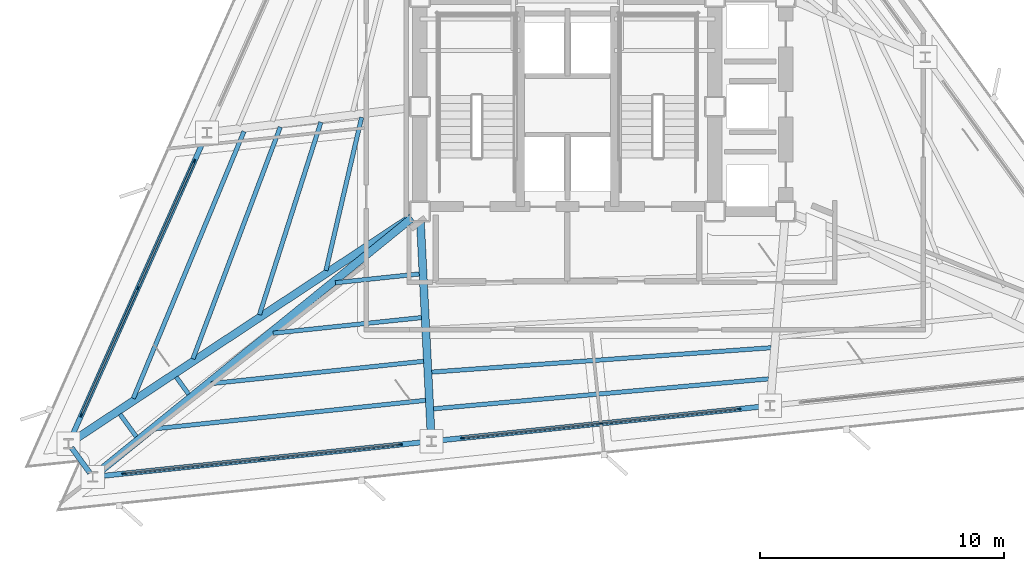
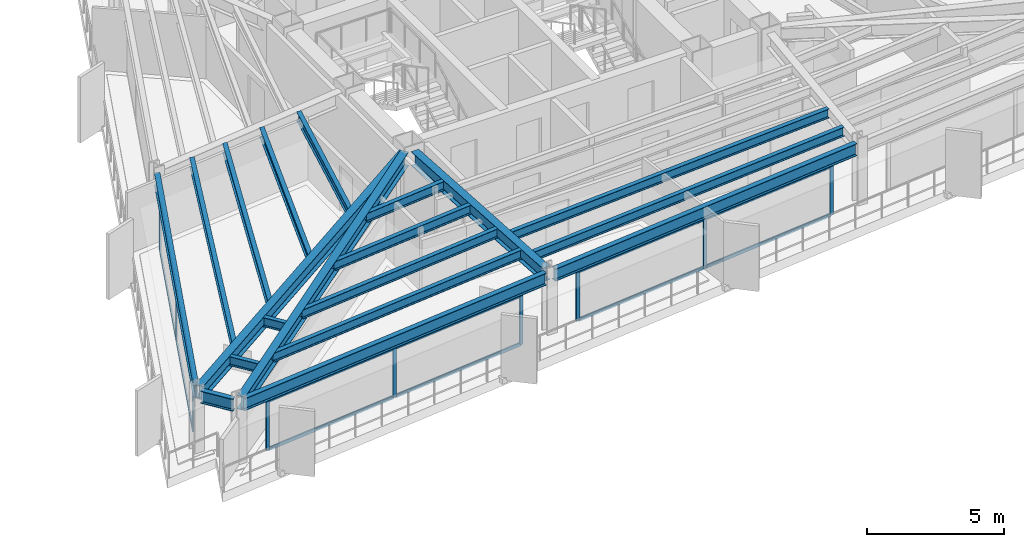
# One storey, part 2 of 12: 21 members, 19 beams, 3 elements without a shape of their own.
"""IFC4 building model written with IfcOpenShell, lengths in metres."""

from ifc_helpers import new_model, si_unit, direction, frame, origin, origin_2d, place, context, subcontext, project, spatial, rectangle, i_section, extrude, material, layer, layer_set, material_profile, profile_set, type_object, element, aggregate, save


model = new_model("IFC4")

# Units and contexts
model_context = context("Model", 3, precision=1e-05, world=origin(), true_north=direction((0.0, 1.0)))
body_context = subcontext(model_context, "Body", "Model", "MODEL_VIEW")
ifc_project = project(units=[si_unit("LENGTHUNIT", "METRE"), si_unit("AREAUNIT", "SQUARE_METRE"), si_unit("VOLUMEUNIT", "CUBIC_METRE"), si_unit("PLANEANGLEUNIT", "RADIAN"), si_unit("MASSUNIT", "GRAM", prefix="KILO")], contexts=[model_context])

# Site, building, storey
site_placement = place(None, origin())
site = spatial("IfcSite", under=ifc_project, at=site_placement, CompositionType="ELEMENT")
building_placement = place(site_placement, origin())
building = spatial("IfcBuilding", under=site, at=building_placement, Name="Rocaltana Carrier Exchange", CompositionType="ELEMENT")
storey_placement = place(building_placement, frame((0.0, 0.0, 104.639892578125)))
storey = spatial("IfcBuildingStorey", under=building, at=storey_placement, Name="L32", CompositionType="ELEMENT", Elevation=104.639892578125)

# Curtain wall, members
ifc_material_1 = material(Name="Aluminium 6063-T6", Category="aluminium")
ifc_layer = layer(ifc_material_1, 0.14990234375)
ifc_layer_set = layer_set([ifc_layer], Name="Aluminium 6063-T6")
curtain_wall_type = type_object("IfcCurtainWallType", Name="Mid-Tower Unitised Curtain Wall CW-03", PredefinedType="NOTDEFINED", material=ifc_layer_set)
curtain_wall_1_placement = place(storey_placement, origin())
curtain_wall_1 = element("IfcCurtainWall", 1, at=curtain_wall_1_placement, inside=storey, type_object=curtain_wall_type, Name="L32 CW-03 Run CW-L32-F2S3", PredefinedType="NOTDEFINED")
ifc_material_2 = material(Name="Aluminium 6063-T6", Category="aluminium")
ifc_material_profile_1 = material_profile(ifc_material_2, rectangle(XDim=0.06005859375, YDim=0.14990234375, at=origin_2d()), Name="AL-60X150")
ifc_profile_set_1 = profile_set([ifc_material_profile_1], Name="Aluminium 6063-T6")
member_type_1 = type_object("IfcMemberType", Name="CW-03 Mullion AL-60X150", PredefinedType="MULLION", material=ifc_profile_set_1)
member_1_placement = place(storey_placement, frame((-15.299560546875, -2.2333984375, 0.0), z_axis=(0.0, 0.0, 1.0), x_axis=(0.913547031517, -0.406733108077, 0.0)))
member_1 = element("IfcMember", 2, at=member_1_placement, type_object=member_type_1, Name="CW-03 mullion 1", PredefinedType="MULLION", context=body_context, shape_type="SweptSolid", body=[
    extrude(rectangle(XDim=0.06005859375, YDim=0.14990234375, at=origin_2d()), origin(), (0.0, 0.0, 1.0), 2.218017578125),
])
member_2_placement = place(storey_placement, frame((-17.619140625, -7.44384765625, 0.0), z_axis=(0.0, 0.0, 1.0), x_axis=(0.913547031517, -0.406733108077, 0.0)))
member_2 = element("IfcMember", 3, at=member_2_placement, type_object=member_type_1, Name="CW-03 mullion 2", PredefinedType="MULLION", context=body_context, shape_type="SweptSolid", body=[
    extrude(rectangle(XDim=0.06005859375, YDim=0.14990234375, at=origin_2d()), origin(), (0.0, 0.0, 1.0), 2.218017578125),
])
member_3_placement = place(storey_placement, frame((-19.93896484375, -12.654052734375, 0.0), z_axis=(0.0, 0.0, 1.0), x_axis=(0.913547031517, -0.406733108077, 0.0)))
member_3 = element("IfcMember", 4, at=member_3_placement, type_object=member_type_1, Name="CW-03 mullion 3", PredefinedType="MULLION", context=body_context, shape_type="SweptSolid", body=[
    extrude(rectangle(XDim=0.06005859375, YDim=0.14990234375, at=origin_2d()), origin(), (0.0, 0.0, 1.0), 2.218017578125),
])

curtain_wall_2_placement = place(storey_placement, origin())
curtain_wall_2 = element("IfcCurtainWall", 5, at=curtain_wall_2_placement, inside=storey, type_object=curtain_wall_type, Name="L32 CW-03 Run CW-L32-F3S1", PredefinedType="NOTDEFINED")
member_4_placement = place(storey_placement, frame((-18.196044921875, -15.052734375, 0.0), z_axis=(0.0, 0.0, 1.0), x_axis=(-0.104521806959, 0.994522594952, 0.0)))
member_4 = element("IfcMember", 6, at=member_4_placement, type_object=member_type_1, Name="CW-03 mullion 1", PredefinedType="MULLION", context=body_context, shape_type="SweptSolid", body=[
    extrude(rectangle(XDim=0.06005859375, YDim=0.14990234375, at=origin_2d()), origin(), (0.0, 0.0, 1.0), 2.218017578125),
])
member_5_placement = place(storey_placement, frame((-12.524169921875, -14.45654296875, 0.0), z_axis=(0.0, 0.0, 1.0), x_axis=(-0.104521806959, 0.994522594952, 0.0)))
member_5 = element("IfcMember", 7, at=member_5_placement, type_object=member_type_1, Name="CW-03 mullion 2", PredefinedType="MULLION", context=body_context, shape_type="SweptSolid", body=[
    extrude(rectangle(XDim=0.06005859375, YDim=0.14990234375, at=origin_2d()), origin(), (0.0, 0.0, 1.0), 2.218017578125),
])
member_6_placement = place(storey_placement, frame((-6.85205078125, -13.860595703125, 0.0), z_axis=(0.0, 0.0, 1.0), x_axis=(-0.104521806959, 0.994522594952, 0.0)))
member_6 = element("IfcMember", 8, at=member_6_placement, type_object=member_type_1, Name="CW-03 mullion 3", PredefinedType="MULLION", context=body_context, shape_type="SweptSolid", body=[
    extrude(rectangle(XDim=0.06005859375, YDim=0.14990234375, at=origin_2d()), origin(), (0.0, 0.0, 1.0), 2.218017578125),
])

curtain_wall_3_placement = place(storey_placement, origin())
curtain_wall_3 = element("IfcCurtainWall", 9, at=curtain_wall_3_placement, inside=storey, type_object=curtain_wall_type, Name="L32 CW-03 Run CW-L32-F3S2", PredefinedType="NOTDEFINED")
member_7_placement = place(storey_placement, frame((-4.30615234375, -13.5927734375, 0.0), z_axis=(0.0, 0.0, 1.0), x_axis=(-0.104529526113, 0.994521783658, 0.0)))
member_7 = element("IfcMember", 10, at=member_7_placement, type_object=member_type_1, Name="CW-03 mullion 1", PredefinedType="MULLION", context=body_context, shape_type="SweptSolid", body=[
    extrude(rectangle(XDim=0.06005859375, YDim=0.14990234375, at=origin_2d()), origin(), (0.0, 0.0, 1.0), 2.218017578125),
])
member_8_placement = place(storey_placement, frame((1.365966796875, -12.99658203125, 0.0), z_axis=(0.0, 0.0, 1.0), x_axis=(-0.104529526113, 0.994521783658, 0.0)))
member_8 = element("IfcMember", 11, at=member_8_placement, type_object=member_type_1, Name="CW-03 mullion 2", PredefinedType="MULLION", context=body_context, shape_type="SweptSolid", body=[
    extrude(rectangle(XDim=0.06005859375, YDim=0.14990234375, at=origin_2d()), origin(), (0.0, 0.0, 1.0), 2.218017578125),
])
member_9_placement = place(storey_placement, frame((7.0380859375, -12.400634765625, 0.0), z_axis=(0.0, 0.0, 1.0), x_axis=(-0.104529526113, 0.994521783658, 0.0)))
member_9 = element("IfcMember", 12, at=member_9_placement, type_object=member_type_1, Name="CW-03 mullion 3", PredefinedType="MULLION", context=body_context, shape_type="SweptSolid", body=[
    extrude(rectangle(XDim=0.06005859375, YDim=0.14990234375, at=origin_2d()), origin(), (0.0, 0.0, 1.0), 2.218017578125),
])

# Member
ifc_material_3 = material(Name="Aluminium 6063-T6", Category="aluminium")
ifc_material_profile_2 = material_profile(ifc_material_3, rectangle(XDim=0.06005859375, YDim=0.14990234375, at=origin_2d()), Name="AL-60X150")
ifc_profile_set_2 = profile_set([ifc_material_profile_2], Name="Aluminium 6063-T6")
member_type_2 = type_object("IfcMemberType", Name="CW-03 Transom AL-60X150", PredefinedType="USERDEFINED", material=ifc_profile_set_2)
member_10_placement = place(storey_placement, frame((-15.311767578125, -2.260986328125, 0.030029296875), z_axis=(-0.406704359788, -0.913559830405, 0.0), x_axis=(0.913559830405, -0.406704359788, 0.0)))
member_10 = element("IfcMember", 13, at=member_10_placement, type_object=member_type_2, Name="CW-03 transom 1.1", ObjectType="TRANSOM", PredefinedType="USERDEFINED", context=body_context, shape_type="SweptSolid", body=[
    extrude(rectangle(XDim=0.06005859375, YDim=0.14990234375, at=origin_2d()), origin(), (0.0, 0.0, 1.0), 5.643310546875),
])

member_11_placement = place(storey_placement, frame((-15.311767578125, -2.260986328125, 2.18798828125), z_axis=(-0.406704359788, -0.913559830405, 0.0), x_axis=(0.913559830405, -0.406704359788, 0.0)))
member_11 = element("IfcMember", 14, at=member_11_placement, type_object=member_type_2, Name="CW-03 transom 1.2", ObjectType="TRANSOM", PredefinedType="USERDEFINED", context=body_context, shape_type="SweptSolid", body=[
    extrude(rectangle(XDim=0.06005859375, YDim=0.14990234375, at=origin_2d()), origin(), (0.0, 0.0, 1.0), 5.643310546875),
])

member_12_placement = place(storey_placement, frame((-17.63134765625, -7.47119140625, 0.030029296875), z_axis=(-0.406740464784, -0.913543756099, 0.0), x_axis=(0.913543756099, -0.406740464784, 0.0)))
member_12 = element("IfcMember", 15, at=member_12_placement, type_object=member_type_2, Name="CW-03 transom 2.1", ObjectType="TRANSOM", PredefinedType="USERDEFINED", context=body_context, shape_type="SweptSolid", body=[
    extrude(rectangle(XDim=0.06005859375, YDim=0.14990234375, at=origin_2d()), origin(), (0.0, 0.0, 1.0), 5.643310546875),
])

member_13_placement = place(storey_placement, frame((-17.63134765625, -7.47119140625, 2.18798828125), z_axis=(-0.406740464784, -0.913543756099, 0.0), x_axis=(0.913543756099, -0.406740464784, 0.0)))
member_13 = element("IfcMember", 16, at=member_13_placement, type_object=member_type_2, Name="CW-03 transom 2.2", ObjectType="TRANSOM", PredefinedType="USERDEFINED", context=body_context, shape_type="SweptSolid", body=[
    extrude(rectangle(XDim=0.06005859375, YDim=0.14990234375, at=origin_2d()), origin(), (0.0, 0.0, 1.0), 5.643310546875),
])

aggregate(curtain_wall_1, [member_1, member_2, member_3, member_10, member_11, member_12, member_13])

member_14_placement = place(storey_placement, frame((-18.166259765625, -15.049560546875, 0.030029296875), z_axis=(0.99452250772, 0.104522636969, 0.0), x_axis=(-0.104522636969, 0.99452250772, 0.0)))
member_14 = element("IfcMember", 17, at=member_14_placement, type_object=member_type_2, Name="CW-03 transom 1.1", ObjectType="TRANSOM", PredefinedType="USERDEFINED", context=body_context, shape_type="SweptSolid", body=[
    extrude(rectangle(XDim=0.06005859375, YDim=0.14990234375, at=origin_2d()), origin(), (0.0, 0.0, 1.0), 5.643310546875),
])

member_15_placement = place(storey_placement, frame((-18.166259765625, -15.049560546875, 2.18798828125), z_axis=(0.99452250772, 0.104522636969, 0.0), x_axis=(-0.104522636969, 0.99452250772, 0.0)))
member_15 = element("IfcMember", 18, at=member_15_placement, type_object=member_type_2, Name="CW-03 transom 1.2", ObjectType="TRANSOM", PredefinedType="USERDEFINED", context=body_context, shape_type="SweptSolid", body=[
    extrude(rectangle(XDim=0.06005859375, YDim=0.14990234375, at=origin_2d()), origin(), (0.0, 0.0, 1.0), 5.643310546875),
])

member_16_placement = place(storey_placement, frame((-12.494384765625, -14.45361328125, 0.030029296875), z_axis=(0.99452250772, 0.104522636969, 0.0), x_axis=(-0.104522636969, 0.99452250772, 0.0)))
member_16 = element("IfcMember", 19, at=member_16_placement, type_object=member_type_2, Name="CW-03 transom 2.1", ObjectType="TRANSOM", PredefinedType="USERDEFINED", context=body_context, shape_type="SweptSolid", body=[
    extrude(rectangle(XDim=0.06005859375, YDim=0.14990234375, at=origin_2d()), origin(), (0.0, 0.0, 1.0), 5.643310546875),
])

member_17_placement = place(storey_placement, frame((-12.494384765625, -14.45361328125, 2.18798828125), z_axis=(0.99452250772, 0.104522636969, 0.0), x_axis=(-0.104522636969, 0.99452250772, 0.0)))
member_17 = element("IfcMember", 20, at=member_17_placement, type_object=member_type_2, Name="CW-03 transom 2.2", ObjectType="TRANSOM", PredefinedType="USERDEFINED", context=body_context, shape_type="SweptSolid", body=[
    extrude(rectangle(XDim=0.06005859375, YDim=0.14990234375, at=origin_2d()), origin(), (0.0, 0.0, 1.0), 5.643310546875),
])

aggregate(curtain_wall_2, [member_4, member_5, member_6, member_14, member_15, member_16, member_17])

member_18_placement = place(storey_placement, frame((-4.276123046875, -13.58984375, 0.030029296875), z_axis=(0.994518009659, 0.104565426716, 0.0), x_axis=(-0.104565426716, 0.994518009659, 0.0)))
member_18 = element("IfcMember", 21, at=member_18_placement, type_object=member_type_2, Name="CW-03 transom 1.1", ObjectType="TRANSOM", PredefinedType="USERDEFINED", context=body_context, shape_type="SweptSolid", body=[
    extrude(rectangle(XDim=0.06005859375, YDim=0.14990234375, at=origin_2d()), origin(), (0.0, 0.0, 1.0), 5.643310546875),
])

member_19_placement = place(storey_placement, frame((-4.276123046875, -13.58984375, 2.18798828125), z_axis=(0.994518009659, 0.104565426716, 0.0), x_axis=(-0.104565426716, 0.994518009659, 0.0)))
member_19 = element("IfcMember", 22, at=member_19_placement, type_object=member_type_2, Name="CW-03 transom 1.2", ObjectType="TRANSOM", PredefinedType="USERDEFINED", context=body_context, shape_type="SweptSolid", body=[
    extrude(rectangle(XDim=0.06005859375, YDim=0.14990234375, at=origin_2d()), origin(), (0.0, 0.0, 1.0), 5.643310546875),
])

member_20_placement = place(storey_placement, frame((1.395751953125, -12.99365234375, 0.030029296875), z_axis=(0.994518482657, 0.104560927947, 0.0), x_axis=(-0.104560927947, 0.994518482657, 0.0)))
member_20 = element("IfcMember", 23, at=member_20_placement, type_object=member_type_2, Name="CW-03 transom 2.1", ObjectType="TRANSOM", PredefinedType="USERDEFINED", context=body_context, shape_type="SweptSolid", body=[
    extrude(rectangle(XDim=0.06005859375, YDim=0.14990234375, at=origin_2d()), origin(), (0.0, 0.0, 1.0), 5.6435546875),
])

member_21_placement = place(storey_placement, frame((1.395751953125, -12.99365234375, 2.18798828125), z_axis=(0.994518482657, 0.104560927947, 0.0), x_axis=(-0.104560927947, 0.994518482657, 0.0)))
member_21 = element("IfcMember", 24, at=member_21_placement, type_object=member_type_2, Name="CW-03 transom 2.2", ObjectType="TRANSOM", PredefinedType="USERDEFINED", context=body_context, shape_type="SweptSolid", body=[
    extrude(rectangle(XDim=0.06005859375, YDim=0.14990234375, at=origin_2d()), origin(), (0.0, 0.0, 1.0), 5.6435546875),
])

aggregate(curtain_wall_3, [member_7, member_8, member_9, member_18, member_19, member_20, member_21])

# Beams
ifc_material_4 = material(Name="Steel S355", Category="steel")
ifc_material_profile_3 = material_profile(ifc_material_4, i_section(OverallWidth=0.179931640625, OverallDepth=0.4130859375, WebThickness=0.009765625, FlangeThickness=0.01611328125, FilletRadius=0.012939453125, at=origin_2d()), Name="W16X50")
ifc_profile_set_3 = profile_set([ifc_material_profile_3], Name="Steel S355")
beam_type_1 = type_object("IfcBeamType", Name="Floor Joist W16X50", PredefinedType="JOIST", material=ifc_profile_set_3)
beam_1_placement = place(storey_placement, frame((-8.442138671875, -0.439208984375, 2.58154296875), z_axis=(-0.22689687838, -0.973918788494, 0.0), x_axis=(0.973918788494, -0.22689687838, 0.0)))
element("IfcBeam", 25, at=beam_1_placement, inside=storey, type_object=beam_type_1, Name="FJ-L32-07-1", PredefinedType="JOIST", context=body_context, shape_type="SweptSolid", body=[
    extrude(i_section(OverallWidth=0.179931640625, OverallDepth=0.4130859375, WebThickness=0.009765625, FlangeThickness=0.01611328125, FilletRadius=0.012939453125, at=origin_2d()), origin(), (0.0, 0.0, 1.0), 6.448486328125),
])
beam_2_placement = place(storey_placement, frame((-10.11279296875, -0.63818359375, 2.58154296875), z_axis=(-0.303932068728, -0.952693706077, 0.0), x_axis=(0.952693706077, -0.303932068728, 0.0)))
element("IfcBeam", 26, at=beam_2_placement, inside=storey, type_object=beam_type_1, Name="FJ-L32-07-2", PredefinedType="JOIST", context=body_context, shape_type="SweptSolid", body=[
    extrude(i_section(OverallWidth=0.179931640625, OverallDepth=0.4130859375, WebThickness=0.009765625, FlangeThickness=0.01611328125, FilletRadius=0.012939453125, at=origin_2d()), origin(), (0.0, 0.0, 1.0), 8.285888671875),
])
beam_3_placement = place(storey_placement, frame((-11.77880859375, -0.837646484375, 2.58154296875), z_axis=(-0.352616248734, -0.935768016727, 0.0), x_axis=(0.935768016727, -0.352616248734, 0.0)))
element("IfcBeam", 27, at=beam_3_placement, inside=storey, type_object=beam_type_1, Name="FJ-L32-07-3", PredefinedType="JOIST", context=body_context, shape_type="SweptSolid", body=[
    extrude(i_section(OverallWidth=0.179931640625, OverallDepth=0.4130859375, WebThickness=0.009765625, FlangeThickness=0.01611328125, FilletRadius=0.012939453125, at=origin_2d()), origin(), (0.0, 0.0, 1.0), 10.1591796875),
])
beam_4_placement = place(storey_placement, frame((-13.267333984375, -1.016845703125, 2.58154296875), z_axis=(-0.382964861888, -0.923762910361, 0.0), x_axis=(0.923762910361, -0.382964861888, 0.0)))
element("IfcBeam", 28, at=beam_4_placement, inside=storey, type_object=beam_type_1, Name="FJ-L32-07-4", PredefinedType="JOIST", context=body_context, shape_type="SweptSolid", body=[
    extrude(i_section(OverallWidth=0.179931640625, OverallDepth=0.4130859375, WebThickness=0.009765625, FlangeThickness=0.01611328125, FilletRadius=0.012939453125, at=origin_2d()), origin(), (0.0, 0.0, 1.0), 11.851806640625),
])
beam_5_placement = place(storey_placement, frame((-16.044921875, -11.092529296875, 2.58154296875), z_axis=(0.587636081789, -0.80912535208, 0.0), x_axis=(0.80912535208, 0.587636081789, 0.0)))
element("IfcBeam", 29, at=beam_5_placement, inside=storey, type_object=beam_type_1, Name="FJ-L32-08-3", PredefinedType="JOIST", context=body_context, shape_type="SweptSolid", body=[
    extrude(i_section(OverallWidth=0.179931640625, OverallDepth=0.4130859375, WebThickness=0.009765625, FlangeThickness=0.01611328125, FilletRadius=0.012939453125, at=origin_2d()), origin(), (0.0, 0.0, 1.0), 0.867431640625),
])
beam_6_placement = place(storey_placement, frame((-18.3505859375, -12.6162109375, 2.58154296875), z_axis=(0.587737652756, -0.809051575323, 0.0), x_axis=(0.809051575323, 0.587737652756, 0.0)))
element("IfcBeam", 30, at=beam_6_placement, inside=storey, type_object=beam_type_1, Name="FJ-L32-08-4", PredefinedType="JOIST", context=body_context, shape_type="SweptSolid", body=[
    extrude(i_section(OverallWidth=0.179931640625, OverallDepth=0.4130859375, WebThickness=0.009765625, FlangeThickness=0.01611328125, FilletRadius=0.012939453125, at=origin_2d()), origin(), (0.0, 0.0, 1.0), 1.137451171875),
])
beam_7_placement = place(storey_placement, frame((-9.51806640625, -7.22314453125, 2.58154296875), z_axis=(0.994522069836, 0.104526803309, 0.0), x_axis=(-0.104526803309, 0.994522069836, 0.0)))
element("IfcBeam", 31, at=beam_7_placement, inside=storey, type_object=beam_type_1, Name="FJ-L32-09-1", PredefinedType="JOIST", context=body_context, shape_type="SweptSolid", body=[
    extrude(i_section(OverallWidth=0.179931640625, OverallDepth=0.4130859375, WebThickness=0.009765625, FlangeThickness=0.01611328125, FilletRadius=0.012939453125, at=origin_2d()), origin(), (0.0, 0.0, 1.0), 3.459228515625),
])
beam_8_placement = place(storey_placement, frame((-12.067626953125, -9.29150390625, 2.58154296875), z_axis=(0.994522291709, 0.104524692265, 0.0), x_axis=(-0.104524692265, 0.994522291709, 0.0)))
element("IfcBeam", 32, at=beam_8_placement, inside=storey, type_object=beam_type_1, Name="FJ-L32-09-2", PredefinedType="JOIST", context=body_context, shape_type="SweptSolid", body=[
    extrude(i_section(OverallWidth=0.179931640625, OverallDepth=0.4130859375, WebThickness=0.009765625, FlangeThickness=0.01611328125, FilletRadius=0.012939453125, at=origin_2d()), origin(), (0.0, 0.0, 1.0), 6.112548828125),
])
beam_9_placement = place(storey_placement, frame((-14.6171875, -11.360107421875, 2.58154296875), z_axis=(0.994519483766, 0.104551405586, 0.0), x_axis=(-0.104551405586, 0.994519483766, 0.0)))
element("IfcBeam", 33, at=beam_9_placement, inside=storey, type_object=beam_type_1, Name="FJ-L32-09-3", PredefinedType="JOIST", context=body_context, shape_type="SweptSolid", body=[
    extrude(i_section(OverallWidth=0.179931640625, OverallDepth=0.4130859375, WebThickness=0.009765625, FlangeThickness=0.01611328125, FilletRadius=0.012939453125, at=origin_2d()), origin(), (0.0, 0.0, 1.0), 8.76611328125),
])
beam_10_placement = place(storey_placement, frame((-16.898681640625, -13.210693359375, 2.58154296875), z_axis=(0.994521531783, 0.104531922494, 0.0), x_axis=(-0.104531922494, 0.994521531783, 0.0)))
element("IfcBeam", 34, at=beam_10_placement, inside=storey, type_object=beam_type_1, Name="FJ-L32-09-4", PredefinedType="JOIST", context=body_context, shape_type="SweptSolid", body=[
    extrude(i_section(OverallWidth=0.179931640625, OverallDepth=0.4130859375, WebThickness=0.009765625, FlangeThickness=0.01611328125, FilletRadius=0.012939453125, at=origin_2d()), origin(), (0.0, 0.0, 1.0), 11.140625),
])
beam_11_placement = place(storey_placement, frame((-5.564697265625, -10.887451171875, 2.58154296875), z_axis=(0.99742902588, 0.071661274976, 0.0), x_axis=(-0.071661274976, 0.99742902588, 0.0)))
element("IfcBeam", 35, at=beam_11_placement, inside=storey, type_object=beam_type_1, Name="FJ-L32-10-3", PredefinedType="JOIST", context=body_context, shape_type="SweptSolid", body=[
    extrude(i_section(OverallWidth=0.179931640625, OverallDepth=0.4130859375, WebThickness=0.009765625, FlangeThickness=0.01611328125, FilletRadius=0.012939453125, at=origin_2d()), origin(), (0.0, 0.0, 1.0), 13.94775390625),
])
beam_12_placement = place(storey_placement, frame((-5.489501953125, -12.39306640625, 2.58154296875), z_axis=(0.996028205835, 0.089038268076, 0.0), x_axis=(-0.089038268076, 0.996028205835, 0.0)))
element("IfcBeam", 36, at=beam_12_placement, inside=storey, type_object=beam_type_1, Name="FJ-L32-10-4", PredefinedType="JOIST", context=body_context, shape_type="SweptSolid", body=[
    extrude(i_section(OverallWidth=0.179931640625, OverallDepth=0.4130859375, WebThickness=0.009765625, FlangeThickness=0.01611328125, FilletRadius=0.012939453125, at=origin_2d()), origin(), (0.0, 0.0, 1.0), 13.789306640625),
])
ifc_material_5 = material(Name="Steel S355", Category="steel")
ifc_material_profile_4 = material_profile(ifc_material_5, i_section(OverallWidth=0.323974609375, OverallDepth=0.611083984375, WebThickness=0.0126953125, FlangeThickness=0.01904296875, FilletRadius=0.01611328125, at=origin_2d()), Name="W24X104")
ifc_profile_set_4 = profile_set([ifc_material_profile_4], Name="Steel S355")
beam_type_2 = type_object("IfcBeamType", Name="Radial Girder W24X104", PredefinedType="BEAM", material=ifc_profile_set_4)
beam_13_placement = place(storey_placement, frame((-6.39794921875, -4.52978515625, 2.482666015625), z_axis=(-0.83426019766, -0.551370948274, 0.0), x_axis=(0.551370948274, -0.83426019766, 0.0)))
element("IfcBeam", 37, at=beam_13_placement, inside=storey, type_object=beam_type_2, Name="RG-L32-08", PredefinedType="BEAM", context=body_context, shape_type="SweptSolid", body=[
    extrude(i_section(OverallWidth=0.323974609375, OverallDepth=0.611083984375, WebThickness=0.0126953125, FlangeThickness=0.01904296875, FilletRadius=0.01611328125, at=origin_2d()), origin(), (0.0, 0.0, 1.0), 16.6572265625),
])
beam_14_placement = place(storey_placement, frame((-6.373779296875, -4.562744140625, 2.482666015625), z_axis=(-0.776578485368, -0.630020520351, 0.0), x_axis=(0.630020520351, -0.776578485368, 0.0)))
element("IfcBeam", 38, at=beam_14_placement, inside=storey, type_object=beam_type_2, Name="RG-L32-09", PredefinedType="BEAM", context=body_context, shape_type="SweptSolid", body=[
    extrude(i_section(OverallWidth=0.323974609375, OverallDepth=0.611083984375, WebThickness=0.0126953125, FlangeThickness=0.01904296875, FilletRadius=0.01611328125, at=origin_2d()), origin(), (0.0, 0.0, 1.0), 16.6650390625),
])
beam_15_placement = place(storey_placement, frame((-6.029296875, -4.716552734375, 2.482666015625), z_axis=(0.049889314845, -0.998754752812, 0.0), x_axis=(0.998754752812, 0.049889314845, 0.0)))
element("IfcBeam", 39, at=beam_15_placement, inside=storey, type_object=beam_type_2, Name="RG-L32-10", PredefinedType="BEAM", context=body_context, shape_type="SweptSolid", body=[
    extrude(i_section(OverallWidth=0.323974609375, OverallDepth=0.611083984375, WebThickness=0.0126953125, FlangeThickness=0.01904296875, FilletRadius=0.01611328125, at=origin_2d()), origin(), (0.0, 0.0, 1.0), 8.8232421875),
])
ifc_material_6 = material(Name="Steel S355", Category="steel")
ifc_material_profile_5 = material_profile(ifc_material_6, i_section(OverallWidth=0.2119140625, OverallDepth=0.5439453125, WebThickness=0.01318359375, FlangeThickness=0.021240234375, FilletRadius=0.014892578125, at=origin_2d()), Name="W21X83")
ifc_profile_set_5 = profile_set([ifc_material_profile_5], Name="Steel S355")
beam_type_3 = type_object("IfcBeamType", Name="Spandrel Edge Beam W21X83", PredefinedType="SPANDREL", material=ifc_profile_set_5)
beam_16_placement = place(storey_placement, frame((-14.859375, -1.2451171875, 2.51611328125), z_axis=(-0.406740957499, -0.913543536725, 0.0), x_axis=(0.913543536725, -0.406740957499, 0.0)))
element("IfcBeam", 40, at=beam_16_placement, inside=storey, type_object=beam_type_3, Name="SP-L32-07", PredefinedType="SPANDREL", context=body_context, shape_type="SweptSolid", body=[
    extrude(i_section(OverallWidth=0.2119140625, OverallDepth=0.5439453125, WebThickness=0.01318359375, FlangeThickness=0.021240234375, FilletRadius=0.014892578125, at=origin_2d()), origin(), (0.0, 0.0, 1.0), 13.57080078125),
])
beam_17_placement = place(storey_placement, frame((-20.34326171875, -13.983642578125, 2.51611328125), z_axis=(0.58777742462, -0.809022681454, 0.0), x_axis=(0.809022681454, 0.58777742462, 0.0)))
element("IfcBeam", 41, at=beam_17_placement, inside=storey, type_object=beam_type_3, Name="SP-L32-08", PredefinedType="SPANDREL", context=body_context, shape_type="SweptSolid", body=[
    extrude(i_section(OverallWidth=0.2119140625, OverallDepth=0.5439453125, WebThickness=0.01318359375, FlangeThickness=0.021240234375, FilletRadius=0.014892578125, at=origin_2d()), origin(), (0.0, 0.0, 1.0), 1.288818359375),
])
for number, where, z_axis, x_axis, name in (
    (42, (-19.272216796875, -15.166015625, 2.51611328125), (0.99452052486, 0.104541501962, 0.0), (-0.104541501962, 0.99452052486, 0.0), "SP-L32-09"),
    (43, (-5.382080078125, -13.7060546875, 2.51611328125), (0.99452052486, 0.104541501962, 0.0), (-0.104541501962, 0.99452052486, 0.0), "SP-L32-10"),
):
    element("IfcBeam", number, at=place(storey_placement, frame(where, z_axis=z_axis, x_axis=x_axis)), inside=storey, type_object=beam_type_3, Name=name, PredefinedType="SPANDREL", context=body_context, shape_type="SweptSolid", body=[
        extrude(i_section(OverallWidth=0.2119140625, OverallDepth=0.5439453125, WebThickness=0.01318359375, FlangeThickness=0.021240234375, FilletRadius=0.014892578125, at=origin_2d()), origin(), (0.0, 0.0, 1.0), 13.57080078125),
    ])

save(model, "model.ifc")
